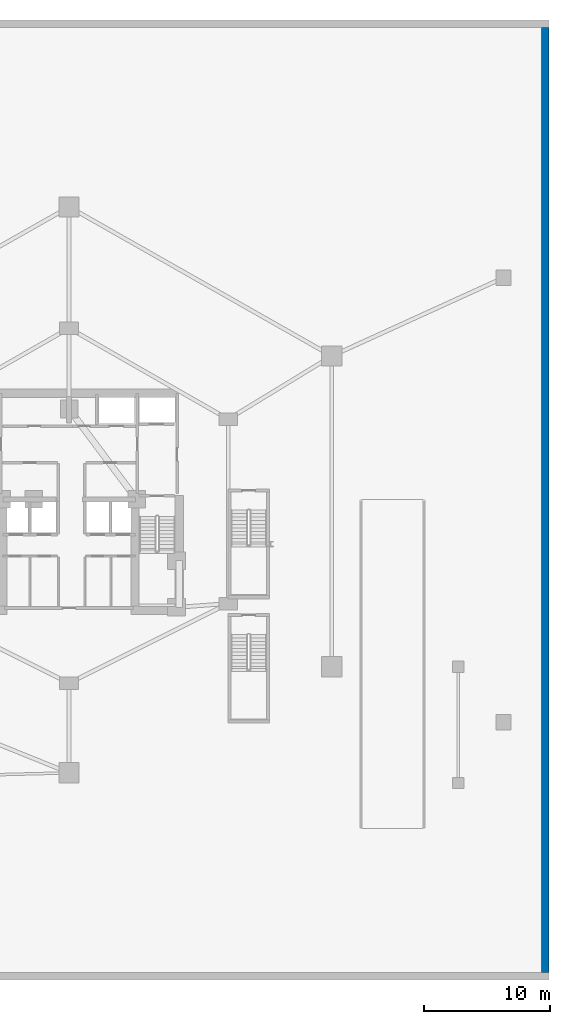
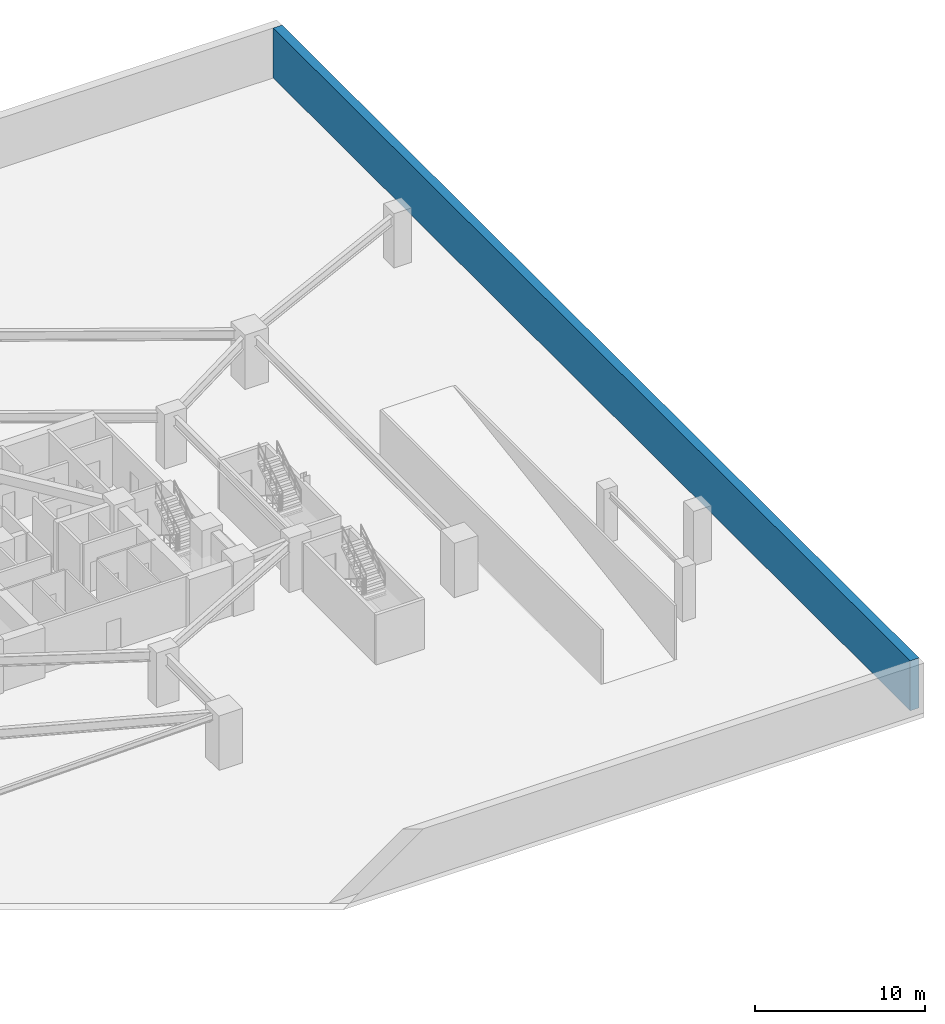
# One storey, part 8 of 12: 1 wall.
"""IFC4 building model written with IfcOpenShell, lengths in metres."""

from ifc_helpers import new_model, si_unit, direction, frame, frame_2d, origin, place, context, subcontext, project, spatial, rectangle, extrude, material, layer, layer_set, type_object, element, save


model = new_model("IFC4")

# Units and contexts
model_context = context("Model", 3, precision=1e-05, world=origin(), true_north=direction((0.0, 1.0)))
body_context = subcontext(model_context, "Body", "Model", "MODEL_VIEW")
ifc_project = project(units=[si_unit("LENGTHUNIT", "METRE"), si_unit("AREAUNIT", "SQUARE_METRE"), si_unit("VOLUMEUNIT", "CUBIC_METRE"), si_unit("PLANEANGLEUNIT", "RADIAN"), si_unit("MASSUNIT", "GRAM", prefix="KILO")], contexts=[model_context])

# Site, building, storey
site_placement = place(None, origin())
site = spatial("IfcSite", under=ifc_project, at=site_placement, CompositionType="ELEMENT")
building_placement = place(site_placement, origin())
building = spatial("IfcBuilding", under=site, at=building_placement, Name="Miruveldt Soraemaru", CompositionType="ELEMENT")
storey_placement = place(building_placement, frame((0.0, 0.0, -7.800048828125)))
storey = spatial("IfcBuildingStorey", under=building, at=storey_placement, Name="B2", CompositionType="ELEMENT", Elevation=-7.800048828125)

# Wall
ifc_material = material(Name="Concrete C50/60 (50 MPa)", Category="concrete")
ifc_layer = layer(ifc_material, 0.60009765625, Name="Concrete C50/60 (50 MPa)", Category="concrete")
ifc_layer_set = layer_set([ifc_layer], Name="Concrete C50/60 (50 MPa)")
wall_type = type_object("IfcWallType", Name="WALL-RET-600", PredefinedType="SOLIDWALL", material=ifc_layer_set)
wall_placement = place(storey_placement, frame((81.699951171875, 6.60009765625, 0.0), z_axis=(0.0, 0.0, 1.0), x_axis=(0.0, 1.0, 0.0)))
element("IfcWall", 1, at=wall_placement, inside=storey, type_object=wall_type, Name="B2 Perimeter Slurry Retaining Wall E", PredefinedType="SOLIDWALL", context=body_context, shape_type="SweptSolid", body=[
    extrude(rectangle(XDim=74.7998046875, YDim=0.60009765625, at=frame_2d((37.39990234375, 0.0))), origin(), (0.0, 0.0, 1.0), 3.580078125),
])

save(model, "model.ifc")
